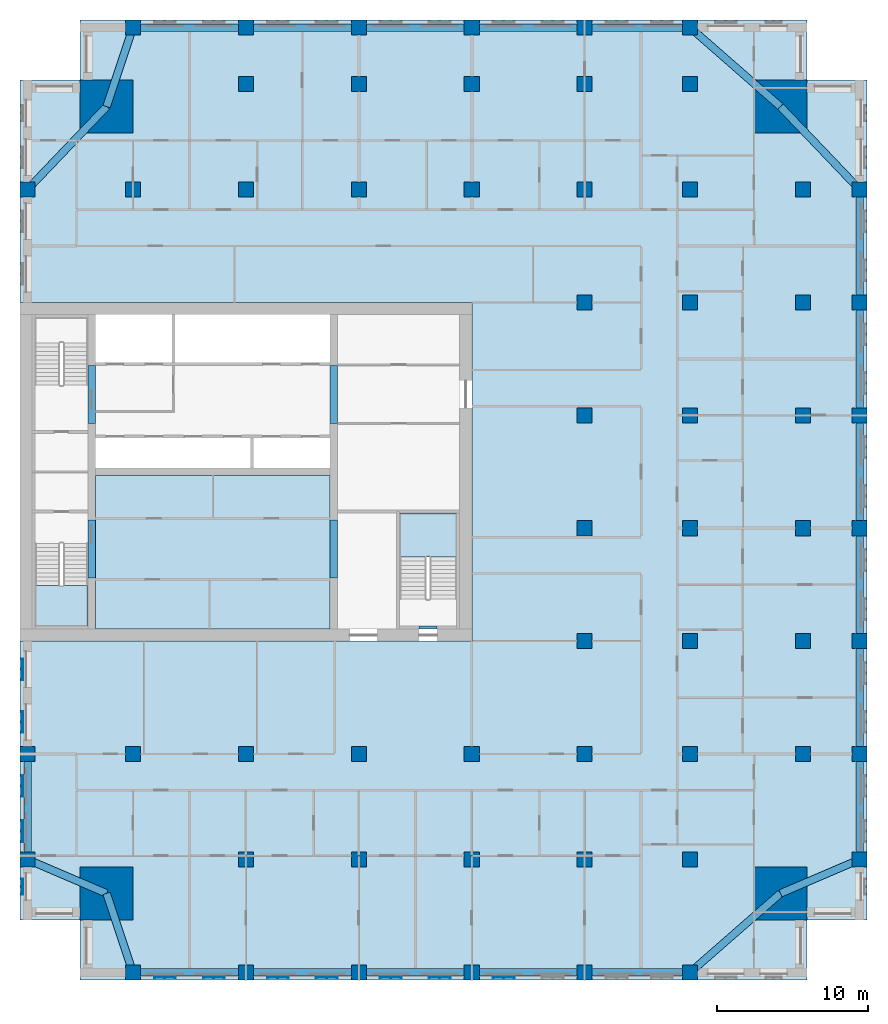
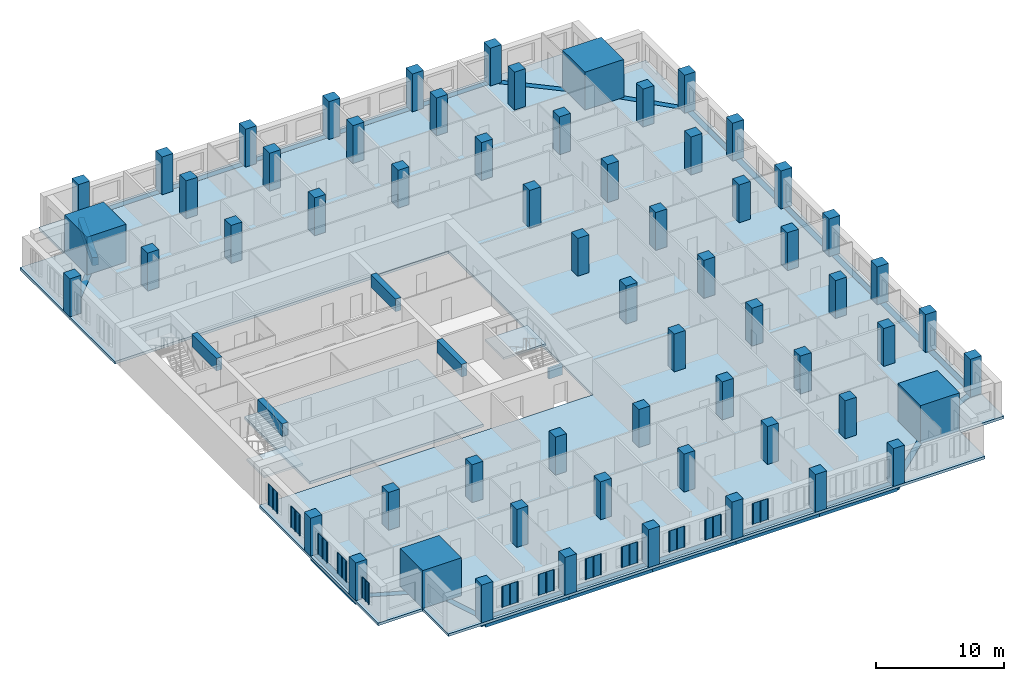
# One storey, part 1 of 13: 62 columns, 30 beams, 12 plates, 4 slabs, 2 elements without a shape of their own.
"""IFC4 building model written with IfcOpenShell, lengths in metres."""

from ifc_helpers import new_model, si_unit, direction, frame, origin, origin_2d, place, context, subcontext, project, spatial, polyline, rectangle, outline, extrude, material, layer, layer_set, material_profile, profile_set, type_object, element, aggregate, save


model = new_model("IFC4")

# Units and contexts
model_context = context("Model", 3, precision=1e-05, world=origin(), true_north=direction((0.0, 1.0)))
body_context = subcontext(model_context, "Body", "Model", "MODEL_VIEW")
ifc_project = project(units=[si_unit("LENGTHUNIT", "METRE"), si_unit("AREAUNIT", "SQUARE_METRE"), si_unit("VOLUMEUNIT", "CUBIC_METRE"), si_unit("PLANEANGLEUNIT", "RADIAN"), si_unit("MASSUNIT", "GRAM", prefix="KILO")], contexts=[model_context])

# Site, building, storey
site_placement = place(None, origin())
site = spatial("IfcSite", under=ifc_project, at=site_placement, CompositionType="ELEMENT")
building_placement = place(site_placement, origin())
building = spatial("IfcBuilding", under=site, at=building_placement, Name="Tamorin Gate", CompositionType="ELEMENT")
storey_placement = place(building_placement, frame((0.0, 0.0, 130.199951171875)))
storey = spatial("IfcBuildingStorey", under=building, at=storey_placement, Name="L31", CompositionType="ELEMENT", Elevation=130.199951171875)

# Columns
ifc_material_1 = material(Name="Concrete C70/85", Category="concrete")
ifc_material_profile_1 = material_profile(ifc_material_1, rectangle(XDim=1.0, YDim=1.0, at=origin_2d()), Name="RC 1000x1000")
ifc_profile_set_1 = profile_set([ifc_material_profile_1], Name="Concrete C70/85")
column_type_1 = type_object("IfcColumnType", Name="RC column 1000x1000 C70/85", PredefinedType="COLUMN", material=ifc_profile_set_1)
for number, where, z_axis, x_axis, name in (
    (1, (85.75, 45.5, 0.0), (0.0, 0.0, 1.0), (1.0, 0.0, 0.0), "Ring column L31"),
    (2, (85.75, 52.5, 0.0), (0.0, 0.0, 1.0), (1.0, 0.0, 0.0), "Ring column L31"),
    (3, (85.75, 60.0, 0.0), (0.0, 0.0, 1.0), (1.0, 0.0, 0.0), "Ring column L31"),
    (4, (85.75, 67.5, 0.0), (0.0, 0.0, 1.0), (1.0, 0.0, 0.0), "Ring column L31"),
    (5, (85.75, 75.0, 0.0), (0.0, 0.0, 1.0), (1.0, 0.0, 0.0), "Ring column L31"),
    (6, (85.75, 82.5, 0.0), (0.0, 0.0, 1.0), (1.0, 0.0, 0.0), "Ring column L31"),
    (7, (85.75, 90.0, 0.0), (0.0, 0.0, 1.0), (1.0, 0.0, 0.0), "Ring column L31"),
    (8, (37.5, 100.75, 0.0), (0.0, 0.0, 1.0), (1.0, 0.0, 0.0), "Ring column L31"),
    (9, (45.0, 100.75, 0.0), (0.0, 0.0, 1.0), (1.0, 0.0, 0.0), "Ring column L31"),
    (10, (52.5, 100.75, 0.0), (0.0, 0.0, 1.0), (1.0, 0.0, 0.0), "Ring column L31"),
    (11, (60.0, 100.75, 0.0), (0.0, 0.0, 1.0), (1.0, 0.0, 0.0), "Ring column L31"),
    (12, (67.5, 100.75, 0.0), (0.0, 0.0, 1.0), (1.0, 0.0, 0.0), "Ring column L31"),
    (13, (74.5, 100.75, 0.0), (0.0, 0.0, 1.0), (1.0, 0.0, 0.0), "Ring column L31"),
    (14, (30.5, 45.5, 0.0), (0.0, 0.0, 1.0), (1.0, 0.0, 0.0), "Ring column L31"),
    (15, (30.5, 52.5, 0.0), (0.0, 0.0, 1.0), (1.0, 0.0, 0.0), "Ring column L31"),
    (16, (30.5, 90.0, 0.0), (0.0, 0.0, 1.0), (1.0, 0.0, 0.0), "Ring column L31"),
    (17, (37.5, 38.0, 0.0), (0.0, 0.0, 1.0), (1.0, 0.0, 0.0), "Ring column L31"),
    (18, (37.5, 52.5, 0.0), (0.0, 0.0, 1.0), (1.0, 0.0, 0.0), "Interior column L31"),
    (19, (37.5, 90.0, 0.0), (0.0, 0.0, 1.0), (1.0, 0.0, 0.0), "Interior column L31"),
    (20, (45.0, 38.0, 0.0), (0.0, 0.0, 1.0), (1.0, 0.0, 0.0), "Ring column L31"),
    (21, (45.0, 45.5, 0.0), (0.0, 0.0, 1.0), (1.0, 0.0, 0.0), "Interior column L31"),
    (22, (45.0, 52.5, 0.0), (0.0, 0.0, 1.0), (1.0, 0.0, 0.0), "Interior column L31"),
    (23, (45.0, 90.0, 0.0), (0.0, 0.0, 1.0), (1.0, 0.0, 0.0), "Interior column L31"),
    (24, (45.0, 97.0, 0.0), (0.0, 0.0, 1.0), (1.0, 0.0, 0.0), "Interior column L31"),
    (25, (52.5, 38.0, 0.0), (0.0, 0.0, 1.0), (1.0, 0.0, 0.0), "Ring column L31"),
    (26, (52.5, 45.5, 0.0), (0.0, 0.0, 1.0), (1.0, 0.0, 0.0), "Interior column L31"),
    (27, (52.5, 52.5, 0.0), (0.0, 0.0, 1.0), (1.0, 0.0, 0.0), "Interior column L31"),
    (28, (52.5, 90.0, 0.0), (0.0, 0.0, 1.0), (1.0, 0.0, 0.0), "Interior column L31"),
    (29, (52.5, 97.0, 0.0), (0.0, 0.0, 1.0), (1.0, 0.0, 0.0), "Interior column L31"),
    (30, (60.0, 38.0, 0.0), (0.0, 0.0, 1.0), (1.0, 0.0, 0.0), "Ring column L31"),
    (31, (60.0, 45.5, 0.0), (0.0, 0.0, 1.0), (1.0, 0.0, 0.0), "Interior column L31"),
    (32, (60.0, 52.5, 0.0), (0.0, 0.0, 1.0), (1.0, 0.0, 0.0), "Interior column L31"),
    (33, (60.0, 90.0, 0.0), (0.0, 0.0, 1.0), (1.0, 0.0, 0.0), "Interior column L31"),
    (34, (60.0, 97.0, 0.0), (0.0, 0.0, 1.0), (1.0, 0.0, 0.0), "Interior column L31"),
    (35, (67.5, 38.0, 0.0), (0.0, 0.0, 1.0), (1.0, 0.0, 0.0), "Ring column L31"),
    (36, (67.5, 45.5, 0.0), (0.0, 0.0, 1.0), (1.0, 0.0, 0.0), "Interior column L31"),
    (37, (67.5, 52.5, 0.0), (0.0, 0.0, 1.0), (1.0, 0.0, 0.0), "Interior column L31"),
    (38, (67.5, 60.0, 0.0), (0.0, 0.0, 1.0), (1.0, 0.0, 0.0), "Interior column L31"),
    (39, (67.5, 67.5, 0.0), (0.0, 0.0, 1.0), (1.0, 0.0, 0.0), "Interior column L31"),
    (40, (67.5, 75.0, 0.0), (0.0, 0.0, 1.0), (1.0, 0.0, 0.0), "Interior column L31"),
    (41, (67.5, 82.5, 0.0), (0.0, 0.0, 1.0), (1.0, 0.0, 0.0), "Interior column L31"),
    (42, (67.5, 90.0, 0.0), (0.0, 0.0, 1.0), (1.0, 0.0, 0.0), "Interior column L31"),
    (43, (67.5, 97.0, 0.0), (0.0, 0.0, 1.0), (1.0, 0.0, 0.0), "Interior column L31"),
    (44, (74.5, 38.0, 0.0), (0.0, 0.0, 1.0), (1.0, 0.0, 0.0), "Ring column L31"),
    (45, (74.5, 45.5, 0.0), (0.0, 0.0, 1.0), (1.0, 0.0, 0.0), "Interior column L31"),
    (46, (74.5, 52.5, 0.0), (0.0, 0.0, 1.0), (1.0, 0.0, 0.0), "Interior column L31"),
    (47, (74.5, 60.0, 0.0), (0.0, 0.0, 1.0), (1.0, 0.0, 0.0), "Interior column L31"),
    (48, (74.5, 67.5, 0.0), (0.0, 0.0, 1.0), (1.0, 0.0, 0.0), "Interior column L31"),
    (49, (74.5, 75.0, 0.0), (0.0, 0.0, 1.0), (1.0, 0.0, 0.0), "Interior column L31"),
    (50, (74.5, 82.5, 0.0), (0.0, 0.0, 1.0), (1.0, 0.0, 0.0), "Interior column L31"),
    (51, (74.5, 90.0, 0.0), (0.0, 0.0, 1.0), (1.0, 0.0, 0.0), "Interior column L31"),
    (52, (74.5, 97.0, 0.0), (0.0, 0.0, 1.0), (1.0, 0.0, 0.0), "Interior column L31"),
    (53, (82.0, 52.5, 0.0), (0.0, 0.0, 1.0), (1.0, 0.0, 0.0), "Interior column L31"),
    (54, (82.0, 60.0, 0.0), (0.0, 0.0, 1.0), (1.0, 0.0, 0.0), "Interior column L31"),
    (55, (82.0, 67.5, 0.0), (0.0, 0.0, 1.0), (1.0, 0.0, 0.0), "Interior column L31"),
    (56, (82.0, 75.0, 0.0), (0.0, 0.0, 1.0), (1.0, 0.0, 0.0), "Interior column L31"),
    (57, (82.0, 82.5, 0.0), (0.0, 0.0, 1.0), (1.0, 0.0, 0.0), "Interior column L31"),
    (58, (82.0, 90.0, 0.0), (0.0, 0.0, 1.0), (1.0, 0.0, 0.0), "Interior column L31"),
):
    element("IfcColumn", number, at=place(storey_placement, frame(where, z_axis=z_axis, x_axis=x_axis)), inside=storey, type_object=column_type_1, Name=name, PredefinedType="COLUMN", context=body_context, shape_type="SweptSolid", body=[
        extrude(rectangle(XDim=1.0, YDim=1.0, at=origin_2d()), origin(), (0.0, 0.0, 1.0), 3.60009765625),
    ])
ifc_material_profile_2 = material_profile(ifc_material_1, rectangle(XDim=3.5, YDim=3.5, at=origin_2d()), Name="RC 3500x3500")
ifc_profile_set_2 = profile_set([ifc_material_profile_2], Name="Concrete C70/85")
column_type_2 = type_object("IfcColumnType", Name="RC column 3500x3500 C70/85", PredefinedType="COLUMN", material=ifc_profile_set_2)
for number, where, z_axis, x_axis, name in (
    (59, (35.75, 43.25, 0.0), (0.0, 0.0, 1.0), (1.0, 0.0, 0.0), "Mega column SW L31"),
    (60, (80.5, 43.25, 0.0), (0.0, 0.0, 1.0), (1.0, 0.0, 0.0), "Mega column SE L31"),
    (61, (35.75, 95.5, 0.0), (0.0, 0.0, 1.0), (1.0, 0.0, 0.0), "Mega column NW L31"),
    (62, (80.5, 95.5, 0.0), (0.0, 0.0, 1.0), (1.0, 0.0, 0.0), "Mega column NE L31"),
):
    element("IfcColumn", number, at=place(storey_placement, frame(where, z_axis=z_axis, x_axis=x_axis)), inside=storey, type_object=column_type_2, Name=name, PredefinedType="COLUMN", context=body_context, shape_type="SweptSolid", body=[
        extrude(rectangle(XDim=3.5, YDim=3.5, at=origin_2d()), origin(), (0.0, 0.0, 1.0), 3.60009765625),
    ])

# Beams
ifc_material_2 = material(Name="Concrete C60/75", Category="concrete")
ifc_material_profile_3 = material_profile(ifc_material_2, rectangle(XDim=0.5, YDim=1.199951171875, at=origin_2d()), Name="RC 500x1200")
ifc_profile_set_3 = profile_set([ifc_material_profile_3], Name="Concrete C60/75")
beam_type_1 = type_object("IfcBeamType", Name="RC coupling beam 500x1200 C60/75", PredefinedType="BEAM", material=ifc_profile_set_3)
for number, where, z_axis, x_axis, name in (
    (63, (34.75, 64.199951171875, 3.0), (0.0, 1.0, 0.0), (-1.0, 0.0, 0.0), "Coupling beam L31"),
    (64, (34.75, 74.449951171875, 3.0), (0.0, 1.0, 0.0), (-1.0, 0.0, 0.0), "Coupling beam L31"),
    (65, (50.85009765625, 64.199951171875, 3.0), (0.0, 1.0, 0.0), (-1.0, 0.0, 0.0), "Coupling beam L31"),
    (66, (50.85009765625, 74.449951171875, 3.0), (0.0, 1.0, 0.0), (-1.0, 0.0, 0.0), "Coupling beam L31"),
):
    element("IfcBeam", number, at=place(storey_placement, frame(where, z_axis=z_axis, x_axis=x_axis)), inside=storey, type_object=beam_type_1, Name=name, PredefinedType="BEAM", context=body_context, shape_type="SweptSolid", body=[
        extrude(rectangle(XDim=0.5, YDim=1.199951171875, at=origin_2d()), origin(), (0.0, 0.0, 1.0), 3.85009765625),
    ])
ifc_material_3 = material(Name="Concrete C50/60", Category="concrete")
ifc_material_profile_4 = material_profile(ifc_material_3, rectangle(XDim=0.5, YDim=0.75, at=origin_2d()), Name="RC 500x750")
ifc_profile_set_4 = profile_set([ifc_material_profile_4], Name="Concrete C50/60")
beam_type_2 = type_object("IfcBeamType", Name="RC spandrel 500x750 C50/60", PredefinedType="BEAM", material=ifc_profile_set_4)
for number, where, z_axis, x_axis, name in (
    (67, (37.5, 38.0, -0.375), (1.0, 0.0, 0.0), (0.0, 1.0, 0.0), "Spandrel beam L31"),
    (68, (45.0, 38.0, -0.375), (1.0, 0.0, 0.0), (0.0, 1.0, 0.0), "Spandrel beam L31"),
    (69, (52.5, 38.0, -0.375), (1.0, 0.0, 0.0), (0.0, 1.0, 0.0), "Spandrel beam L31"),
    (70, (60.0, 38.0, -0.375), (1.0, 0.0, 0.0), (0.0, 1.0, 0.0), "Spandrel beam L31"),
):
    element("IfcBeam", number, at=place(storey_placement, frame(where, z_axis=z_axis, x_axis=x_axis)), inside=storey, type_object=beam_type_2, Name=name, PredefinedType="BEAM", context=body_context, shape_type="SweptSolid", body=[
        extrude(rectangle(XDim=0.5, YDim=0.75, at=origin_2d()), origin(), (0.0, 0.0, 1.0), 7.5),
    ])
for number, where, z_axis, x_axis, name in (
    (71, (67.5, 38.0, -0.375), (1.0, 0.0, 0.0), (0.0, 1.0, 0.0), "Spandrel beam L31"),
    (72, (85.75, 45.5, -0.375), (0.0, 1.0, 0.0), (-1.0, 0.0, 0.0), "Spandrel beam L31"),
):
    element("IfcBeam", number, at=place(storey_placement, frame(where, z_axis=z_axis, x_axis=x_axis)), inside=storey, type_object=beam_type_2, Name=name, PredefinedType="BEAM", context=body_context, shape_type="SweptSolid", body=[
        extrude(rectangle(XDim=0.5, YDim=0.75, at=origin_2d()), origin(), (0.0, 0.0, 1.0), 7.0),
    ])
for number, where, z_axis, x_axis, name in (
    (73, (85.75, 52.5, -0.375), (0.0, 1.0, 0.0), (-1.0, 0.0, 0.0), "Spandrel beam L31"),
    (74, (85.75, 60.0, -0.375), (0.0, 1.0, 0.0), (-1.0, 0.0, 0.0), "Spandrel beam L31"),
    (75, (85.75, 67.5, -0.375), (0.0, 1.0, 0.0), (-1.0, 0.0, 0.0), "Spandrel beam L31"),
    (76, (85.75, 75.0, -0.375), (0.0, 1.0, 0.0), (-1.0, 0.0, 0.0), "Spandrel beam L31"),
    (77, (85.75, 82.5, -0.375), (0.0, 1.0, 0.0), (-1.0, 0.0, 0.0), "Spandrel beam L31"),
):
    element("IfcBeam", number, at=place(storey_placement, frame(where, z_axis=z_axis, x_axis=x_axis)), inside=storey, type_object=beam_type_2, Name=name, PredefinedType="BEAM", context=body_context, shape_type="SweptSolid", body=[
        extrude(rectangle(XDim=0.5, YDim=0.75, at=origin_2d()), origin(), (0.0, 0.0, 1.0), 7.5),
    ])
beam_1_placement = place(storey_placement, frame((74.5, 100.75, -0.375), z_axis=(-1.0, 0.0, 0.0), x_axis=(0.0, -1.0, 0.0)))
element("IfcBeam", 78, at=beam_1_placement, inside=storey, type_object=beam_type_2, Name="Spandrel beam L31", PredefinedType="BEAM", context=body_context, shape_type="SweptSolid", body=[
    extrude(rectangle(XDim=0.5, YDim=0.75, at=origin_2d()), origin(), (0.0, 0.0, 1.0), 7.0),
])
for number, where, z_axis, x_axis, name in (
    (79, (67.5, 100.75, -0.375), (-1.0, 0.0, 0.0), (0.0, -1.0, 0.0), "Spandrel beam L31"),
    (80, (60.0, 100.75, -0.375), (-1.0, 0.0, 0.0), (0.0, -1.0, 0.0), "Spandrel beam L31"),
    (81, (52.5, 100.75, -0.375), (-1.0, 0.0, 0.0), (0.0, -1.0, 0.0), "Spandrel beam L31"),
    (82, (45.0, 100.75, -0.375), (-1.0, 0.0, 0.0), (0.0, -1.0, 0.0), "Spandrel beam L31"),
):
    element("IfcBeam", number, at=place(storey_placement, frame(where, z_axis=z_axis, x_axis=x_axis)), inside=storey, type_object=beam_type_2, Name=name, PredefinedType="BEAM", context=body_context, shape_type="SweptSolid", body=[
        extrude(rectangle(XDim=0.5, YDim=0.75, at=origin_2d()), origin(), (0.0, 0.0, 1.0), 7.5),
    ])
beam_2_placement = place(storey_placement, frame((30.5, 52.5, -0.375), z_axis=(0.0, -1.0, 0.0), x_axis=(1.0, 0.0, 0.0)))
element("IfcBeam", 83, at=beam_2_placement, inside=storey, type_object=beam_type_2, Name="Spandrel beam L31", PredefinedType="BEAM", context=body_context, shape_type="SweptSolid", body=[
    extrude(rectangle(XDim=0.5, YDim=0.75, at=origin_2d()), origin(), (0.0, 0.0, 1.0), 7.0),
])
beam_3_placement = place(storey_placement, frame((35.75, 43.25, -0.375), z_axis=(0.316227766017, -0.948683298051, 0.0), x_axis=(0.948683298051, 0.316227766017, 0.0)))
element("IfcBeam", 84, at=beam_3_placement, inside=storey, type_object=beam_type_2, Name="Corner tie beam L31", PredefinedType="BEAM", context=body_context, shape_type="SweptSolid", body=[
    extrude(rectangle(XDim=0.5, YDim=0.75, at=origin_2d()), origin(), (0.0, 0.0, 1.0), 5.533935546875),
])
for number, where, z_axis, x_axis, name in (
    (85, (35.75, 43.25, -0.375), (-0.919145030018, 0.393919298579, 0.0), (-0.393919298579, -0.919145030018, 0.0), "Corner tie beam L31"),
    (86, (80.5, 43.25, -0.375), (0.919145030018, 0.393919298579, 0.0), (-0.393919298579, 0.919145030018, 0.0), "Corner tie beam L31"),
):
    element("IfcBeam", number, at=place(storey_placement, frame(where, z_axis=z_axis, x_axis=x_axis)), inside=storey, type_object=beam_type_2, Name=name, PredefinedType="BEAM", context=body_context, shape_type="SweptSolid", body=[
        extrude(rectangle(XDim=0.5, YDim=0.75, at=origin_2d()), origin(), (0.0, 0.0, 1.0), 5.7119140625),
    ])
beam_4_placement = place(storey_placement, frame((80.5, 43.25, -0.375), z_axis=(-0.752576694707, -0.658504607869, 0.0), x_axis=(0.658504607869, -0.752576694707, 0.0)))
element("IfcBeam", 87, at=beam_4_placement, inside=storey, type_object=beam_type_2, Name="Corner tie beam L31", PredefinedType="BEAM", context=body_context, shape_type="SweptSolid", body=[
    extrude(rectangle(XDim=0.5, YDim=0.75, at=origin_2d()), origin(), (0.0, 0.0, 1.0), 7.97265625),
])
beam_5_placement = place(storey_placement, frame((35.75, 95.5, -0.375), z_axis=(0.316227766017, 0.948683298051, 0.0), x_axis=(-0.948683298051, 0.316227766017, 0.0)))
element("IfcBeam", 88, at=beam_5_placement, inside=storey, type_object=beam_type_2, Name="Corner tie beam L31", PredefinedType="BEAM", context=body_context, shape_type="SweptSolid", body=[
    extrude(rectangle(XDim=0.5, YDim=0.75, at=origin_2d()), origin(), (0.0, 0.0, 1.0), 5.533935546875),
])
for number, where, z_axis, x_axis, name in (
    (89, (35.75, 95.5, -0.375), (-0.690475746683, -0.723355544144, 0.0), (0.723355544144, -0.690475746683, 0.0), "Corner tie beam L31"),
    (90, (80.5, 95.5, -0.375), (0.690475746683, -0.723355544144, 0.0), (0.723355544144, 0.690475746683, 0.0), "Corner tie beam L31"),
):
    element("IfcBeam", number, at=place(storey_placement, frame(where, z_axis=z_axis, x_axis=x_axis)), inside=storey, type_object=beam_type_2, Name=name, PredefinedType="BEAM", context=body_context, shape_type="SweptSolid", body=[
        extrude(rectangle(XDim=0.5, YDim=0.75, at=origin_2d()), origin(), (0.0, 0.0, 1.0), 7.603515625),
    ])
beam_6_placement = place(storey_placement, frame((80.5, 95.5, -0.375), z_axis=(-0.752576694707, 0.658504607869, 0.0), x_axis=(-0.658504607869, -0.752576694707, 0.0)))
element("IfcBeam", 91, at=beam_6_placement, inside=storey, type_object=beam_type_2, Name="Corner tie beam L31", PredefinedType="BEAM", context=body_context, shape_type="SweptSolid", body=[
    extrude(rectangle(XDim=0.5, YDim=0.75, at=origin_2d()), origin(), (0.0, 0.0, 1.0), 7.97265625),
])
ifc_material_profile_5 = material_profile(ifc_material_2, rectangle(XDim=0.199951171875, YDim=1.0, at=origin_2d()))
ifc_profile_set_5 = profile_set([ifc_material_profile_5], Name="Concrete C60/75")
beam_type_3 = type_object("IfcBeamType", Name="Stair lintel 200x1000 C60/75", PredefinedType="BEAM", material=ifc_profile_set_5)
beam_7_placement = place(storey_placement, frame((56.5, 60.89990234375, 2.699951171875), z_axis=(1.0, 0.0, 0.0), x_axis=(0.0, 1.0, 0.0)))
element("IfcBeam", 92, at=beam_7_placement, inside=storey, type_object=beam_type_3, Name="Stair lintel", PredefinedType="BEAM", context=body_context, shape_type="SweptSolid", body=[
    extrude(rectangle(XDim=0.199951171875, YDim=1.0, at=origin_2d()), origin(), (0.0, 0.0, 1.0), 1.199951171875),
])

# Slab
ifc_material_4 = material(Name="Concrete C40/50", Category="concrete")
ifc_layer_1 = layer(ifc_material_4, 0.25)
ifc_layer_set_1 = layer_set([ifc_layer_1], Name="Core floor slab 250 C40/50")
slab_type_1 = type_object("IfcSlabType", Name="Core floor slab 250 C40/50", PredefinedType="FLOOR", material=ifc_layer_set_1)
slab_1_placement = place(storey_placement, frame((0.0, 0.0, -0.25)))
element("IfcSlab", 93, at=slab_1_placement, inside=storey, type_object=slab_type_1, Name="Core floor L31", PredefinedType="FLOOR", context=body_context, shape_type="SweptSolid", body=[
    extrude(outline(polyline([(50.60009765625, 71.0), (50.60009765625, 60.800048828125), (35.0, 60.800048828125), (35.0, 71.0), (50.60009765625, 71.0)])), origin(), (0.0, 0.0, 1.0), 0.25),
])

# Stair, slab
stair_type = type_object("IfcStairType", Name="Exit stair", PredefinedType="HALF_TURN_STAIR", material=ifc_material_4)
stair_1_placement = place(storey_placement, origin())
stair_1 = element("IfcStair", 94, at=stair_1_placement, inside=storey, type_object=stair_type, Name="L31 stair ST1", PredefinedType="HALF_TURN_STAIR")
ifc_layer_2 = layer(ifc_material_4, 0.199951171875)
ifc_layer_set_2 = layer_set([ifc_layer_2], Name="Exit stair landing 200")
slab_type_2 = type_object("IfcSlabType", Name="Exit stair landing 200", PredefinedType="LANDING", material=ifc_layer_set_2)
slab_2_placement = place(storey_placement, frame((0.0, 0.0, 1.60009765625)))
slab_2 = element("IfcSlab", 95, at=slab_2_placement, type_object=slab_type_2, Name="ST1 landing 1", PredefinedType="LANDING", context=body_context, shape_type="SweptSolid", body=[
    extrude(outline(polyline([(31.0, 63.699951171875), (31.0, 61.0), (34.5, 61.0), (34.5, 63.699951171875), (31.0, 63.699951171875)])), origin(), (0.0, 0.0, 1.0), 0.199951171875),
])
aggregate(stair_1, [slab_2])

stair_2_placement = place(storey_placement, origin())
stair_2 = element("IfcStair", 96, at=stair_2_placement, inside=storey, type_object=stair_type, Name="L31 stair ST3", PredefinedType="HALF_TURN_STAIR")
slab_3_placement = place(storey_placement, frame((0.0, 0.0, 1.60009765625)))
slab_3 = element("IfcSlab", 97, at=slab_3_placement, type_object=slab_type_2, Name="ST3 landing 1", PredefinedType="LANDING", context=body_context, shape_type="SweptSolid", body=[
    extrude(outline(polyline([(59.0, 65.60009765625), (59.0, 68.5), (55.199951171875, 68.5), (55.199951171875, 65.60009765625), (59.0, 65.60009765625)])), origin(), (0.0, 0.0, 1.0), 0.199951171875),
])
aggregate(stair_2, [slab_3])

# Slab
ifc_layer_3 = layer(ifc_material_4, 0.25)
ifc_layer_set_3 = layer_set([ifc_layer_3], Name="Floor slab 250 C40/50")
slab_type_3 = type_object("IfcSlabType", Name="Floor slab 250 C40/50", PredefinedType="FLOOR", material=ifc_layer_set_3)
slab_4_placement = place(storey_placement, frame((0.0, 0.0, -0.25)))
element("IfcSlab", 98, at=slab_4_placement, inside=storey, type_object=slab_type_3, Name="Floor L31", PredefinedType="FLOOR", context=body_context, shape_type="SweptSolid", body=[
    extrude(outline(polyline([(30.0, 97.25), (34.0, 97.25), (34.0, 101.25), (82.25, 101.25), (82.25, 97.25), (86.25, 97.25), (86.25, 41.5), (82.25, 41.5), (82.25, 37.5), (34.0, 37.5), (34.0, 41.5), (30.0, 41.5), (30.0, 60.0), (60.0, 60.0), (60.0, 82.5), (30.0, 82.5), (30.0, 97.25)])), origin(), (0.0, 0.0, 1.0), 0.25),
])

# Plates
ifc_material_5 = material(Name="Perforated pale aluminium sheet", Category="aluminium")
ifc_layer_4 = layer(ifc_material_5, 0.0400390625)
ifc_layer_set_4 = layer_set([ifc_layer_4], Name="Pale metal solar screen 1080")
plate_type_1 = type_object("IfcPlateType", Name="Pale metal solar screen 1080", PredefinedType="SHEET", material=ifc_layer_set_4)
plate_1_placement = place(storey_placement, frame((0.0, 0.0, 0.7099609375)))
element("IfcPlate", 99, at=plate_1_placement, inside=storey, type_object=plate_type_1, Name="Perforated solar screen", PredefinedType="SHEET", context=body_context, shape_type="SweptSolid", body=[
    extrude(outline(polyline([(30.159912109375, 44.239990234375), (30.199951171875, 44.239990234375), (30.199951171875, 44.179931640625), (30.199951171875, 43.72998046875), (30.199951171875, 43.669921875), (30.199951171875, 43.219970703125), (30.199951171875, 43.159912109375), (30.159912109375, 43.159912109375), (30.10009765625, 43.159912109375), (30.10009765625, 43.219970703125), (30.159912109375, 43.219970703125), (30.159912109375, 43.669921875), (30.10009765625, 43.669921875), (30.10009765625, 43.72998046875), (30.159912109375, 43.72998046875), (30.159912109375, 44.179931640625), (30.10009765625, 44.179931640625), (30.10009765625, 44.239990234375), (30.159912109375, 44.239990234375)])), origin(), (0.0, 0.0, 1.0), 1.97998046875),
])
ifc_layer_5 = layer(ifc_material_5, 0.0400390625)
ifc_layer_set_5 = layer_set([ifc_layer_5], Name="Pale metal solar screen 1440")
plate_type_2 = type_object("IfcPlateType", Name="Pale metal solar screen 1440", PredefinedType="SHEET", material=ifc_layer_set_5)
plate_2_placement = place(storey_placement, frame((0.0, 0.0, 0.7099609375)))
element("IfcPlate", 100, at=plate_2_placement, inside=storey, type_object=plate_type_2, Name="Perforated solar screen", PredefinedType="SHEET", context=body_context, shape_type="SweptSolid", body=[
    extrude(outline(polyline([(38.905029296875, 37.659912109375), (38.905029296875, 37.699951171875), (38.965087890625, 37.699951171875), (39.594970703125, 37.699951171875), (39.655029296875, 37.699951171875), (40.284912109375, 37.699951171875), (40.344970703125, 37.699951171875), (40.344970703125, 37.699951171875), (40.344970703125, 37.659912109375), (40.344970703125, 37.659912109375), (40.344970703125, 37.60009765625), (40.284912109375, 37.60009765625), (40.284912109375, 37.659912109375), (39.655029296875, 37.659912109375), (39.655029296875, 37.60009765625), (39.594970703125, 37.60009765625), (39.594970703125, 37.659912109375), (38.965087890625, 37.659912109375), (38.965087890625, 37.60009765625), (38.905029296875, 37.60009765625), (38.905029296875, 37.659912109375)])), origin(), (0.0, 0.0, 1.0), 1.97998046875),
])
plate_3_placement = place(storey_placement, frame((0.0, 0.0, 0.7099609375)))
element("IfcPlate", 101, at=plate_3_placement, inside=storey, type_object=plate_type_2, Name="Perforated solar screen", PredefinedType="SHEET", context=body_context, shape_type="SweptSolid", body=[
    extrude(outline(polyline([(42.155029296875, 37.659912109375), (42.155029296875, 37.699951171875), (42.215087890625, 37.699951171875), (42.844970703125, 37.699951171875), (42.905029296875, 37.699951171875), (43.534912109375, 37.699951171875), (43.594970703125, 37.699951171875), (43.594970703125, 37.659912109375), (43.594970703125, 37.60009765625), (43.534912109375, 37.60009765625), (43.534912109375, 37.659912109375), (42.905029296875, 37.659912109375), (42.905029296875, 37.60009765625), (42.844970703125, 37.60009765625), (42.844970703125, 37.659912109375), (42.215087890625, 37.659912109375), (42.215087890625, 37.60009765625), (42.155029296875, 37.60009765625), (42.155029296875, 37.659912109375)])), origin(), (0.0, 0.0, 1.0), 1.97998046875),
])
plate_4_placement = place(storey_placement, frame((0.0, 0.0, 0.7099609375)))
element("IfcPlate", 102, at=plate_4_placement, inside=storey, type_object=plate_type_2, Name="Perforated solar screen", PredefinedType="SHEET", context=body_context, shape_type="SweptSolid", body=[
    extrude(outline(polyline([(46.405029296875, 37.659912109375), (46.405029296875, 37.699951171875), (46.465087890625, 37.699951171875), (47.094970703125, 37.699951171875), (47.155029296875, 37.699951171875), (47.784912109375, 37.699951171875), (47.844970703125, 37.699951171875), (47.844970703125, 37.659912109375), (47.844970703125, 37.60009765625), (47.784912109375, 37.60009765625), (47.784912109375, 37.659912109375), (47.155029296875, 37.659912109375), (47.155029296875, 37.60009765625), (47.094970703125, 37.60009765625), (47.094970703125, 37.659912109375), (46.465087890625, 37.659912109375), (46.465087890625, 37.60009765625), (46.405029296875, 37.60009765625), (46.405029296875, 37.659912109375)])), origin(), (0.0, 0.0, 1.0), 1.97998046875),
])
plate_5_placement = place(storey_placement, frame((0.0, 0.0, 0.7099609375)))
element("IfcPlate", 103, at=plate_5_placement, inside=storey, type_object=plate_type_2, Name="Perforated solar screen", PredefinedType="SHEET", context=body_context, shape_type="SweptSolid", body=[
    extrude(outline(polyline([(49.655029296875, 37.659912109375), (49.655029296875, 37.699951171875), (49.715087890625, 37.699951171875), (50.344970703125, 37.699951171875), (50.405029296875, 37.699951171875), (51.034912109375, 37.699951171875), (51.094970703125, 37.699951171875), (51.094970703125, 37.659912109375), (51.094970703125, 37.60009765625), (51.034912109375, 37.60009765625), (51.034912109375, 37.659912109375), (50.405029296875, 37.659912109375), (50.405029296875, 37.60009765625), (50.344970703125, 37.60009765625), (50.344970703125, 37.659912109375), (49.715087890625, 37.659912109375), (49.715087890625, 37.60009765625), (49.655029296875, 37.60009765625), (49.655029296875, 37.659912109375)])), origin(), (0.0, 0.0, 1.0), 1.97998046875),
])
plate_6_placement = place(storey_placement, frame((0.0, 0.0, 0.7099609375)))
element("IfcPlate", 104, at=plate_6_placement, inside=storey, type_object=plate_type_2, Name="Perforated solar screen", PredefinedType="SHEET", context=body_context, shape_type="SweptSolid", body=[
    extrude(outline(polyline([(53.905029296875, 37.659912109375), (53.905029296875, 37.699951171875), (53.965087890625, 37.699951171875), (54.594970703125, 37.699951171875), (54.655029296875, 37.699951171875), (55.284912109375, 37.699951171875), (55.344970703125, 37.699951171875), (55.344970703125, 37.659912109375), (55.344970703125, 37.60009765625), (55.284912109375, 37.60009765625), (55.284912109375, 37.659912109375), (54.655029296875, 37.659912109375), (54.655029296875, 37.60009765625), (54.594970703125, 37.60009765625), (54.594970703125, 37.659912109375), (53.965087890625, 37.659912109375), (53.965087890625, 37.60009765625), (53.905029296875, 37.60009765625), (53.905029296875, 37.659912109375)])), origin(), (0.0, 0.0, 1.0), 1.97998046875),
])
plate_7_placement = place(storey_placement, frame((0.0, 0.0, 0.7099609375)))
element("IfcPlate", 105, at=plate_7_placement, inside=storey, type_object=plate_type_2, Name="Perforated solar screen", PredefinedType="SHEET", context=body_context, shape_type="SweptSolid", body=[
    extrude(outline(polyline([(57.155029296875, 37.659912109375), (57.155029296875, 37.699951171875), (57.215087890625, 37.699951171875), (57.844970703125, 37.699951171875), (57.905029296875, 37.699951171875), (58.534912109375, 37.699951171875), (58.594970703125, 37.699951171875), (58.594970703125, 37.659912109375), (58.594970703125, 37.60009765625), (58.534912109375, 37.60009765625), (58.534912109375, 37.659912109375), (57.905029296875, 37.659912109375), (57.905029296875, 37.60009765625), (57.844970703125, 37.60009765625), (57.844970703125, 37.659912109375), (57.215087890625, 37.659912109375), (57.215087890625, 37.60009765625), (57.155029296875, 37.60009765625), (57.155029296875, 37.659912109375)])), origin(), (0.0, 0.0, 1.0), 1.97998046875),
])
plate_8_placement = place(storey_placement, frame((0.0, 0.0, 0.7099609375)))
element("IfcPlate", 106, at=plate_8_placement, inside=storey, type_object=plate_type_2, Name="Perforated solar screen", PredefinedType="SHEET", context=body_context, shape_type="SweptSolid", body=[
    extrude(outline(polyline([(61.405029296875, 37.659912109375), (61.405029296875, 37.699951171875), (61.465087890625, 37.699951171875), (62.094970703125, 37.699951171875), (62.155029296875, 37.699951171875), (62.784912109375, 37.699951171875), (62.844970703125, 37.699951171875), (62.844970703125, 37.659912109375), (62.844970703125, 37.60009765625), (62.784912109375, 37.60009765625), (62.784912109375, 37.659912109375), (62.155029296875, 37.659912109375), (62.155029296875, 37.60009765625), (62.094970703125, 37.60009765625), (62.094970703125, 37.659912109375), (61.465087890625, 37.659912109375), (61.465087890625, 37.60009765625), (61.405029296875, 37.60009765625), (61.405029296875, 37.659912109375)])), origin(), (0.0, 0.0, 1.0), 1.97998046875),
])
plate_9_placement = place(storey_placement, frame((0.0, 0.0, 0.7099609375)))
element("IfcPlate", 107, at=plate_9_placement, inside=storey, type_object=plate_type_2, Name="Perforated solar screen", PredefinedType="SHEET", context=body_context, shape_type="SweptSolid", body=[
    extrude(outline(polyline([(30.159912109375, 55.344970703125), (30.199951171875, 55.344970703125), (30.199951171875, 55.284912109375), (30.199951171875, 54.655029296875), (30.199951171875, 54.594970703125), (30.199951171875, 53.965087890625), (30.199951171875, 53.905029296875), (30.159912109375, 53.905029296875), (30.10009765625, 53.905029296875), (30.10009765625, 53.965087890625), (30.159912109375, 53.965087890625), (30.159912109375, 54.594970703125), (30.10009765625, 54.594970703125), (30.10009765625, 54.655029296875), (30.159912109375, 54.655029296875), (30.159912109375, 55.284912109375), (30.10009765625, 55.284912109375), (30.10009765625, 55.344970703125), (30.159912109375, 55.344970703125)])), origin(), (0.0, 0.0, 1.0), 1.97998046875),
])
plate_10_placement = place(storey_placement, frame((0.0, 0.0, 0.7099609375)))
element("IfcPlate", 108, at=plate_10_placement, inside=storey, type_object=plate_type_2, Name="Perforated solar screen", PredefinedType="SHEET", context=body_context, shape_type="SweptSolid", body=[
    extrude(outline(polyline([(30.159912109375, 58.844970703125), (30.199951171875, 58.844970703125), (30.199951171875, 58.784912109375), (30.199951171875, 58.155029296875), (30.199951171875, 58.094970703125), (30.199951171875, 57.465087890625), (30.199951171875, 57.405029296875), (30.159912109375, 57.405029296875), (30.10009765625, 57.405029296875), (30.10009765625, 57.465087890625), (30.159912109375, 57.465087890625), (30.159912109375, 58.094970703125), (30.10009765625, 58.094970703125), (30.10009765625, 58.155029296875), (30.159912109375, 58.155029296875), (30.159912109375, 58.784912109375), (30.10009765625, 58.784912109375), (30.10009765625, 58.844970703125), (30.159912109375, 58.844970703125)])), origin(), (0.0, 0.0, 1.0), 1.97998046875),
])
plate_11_placement = place(storey_placement, frame((0.0, 0.0, 0.7099609375)))
element("IfcPlate", 109, at=plate_11_placement, inside=storey, type_object=plate_type_2, Name="Perforated solar screen", PredefinedType="SHEET", context=body_context, shape_type="SweptSolid", body=[
    extrude(outline(polyline([(30.159912109375, 48.094970703125), (30.199951171875, 48.094970703125), (30.199951171875, 48.034912109375), (30.199951171875, 47.405029296875), (30.199951171875, 47.344970703125), (30.199951171875, 46.715087890625), (30.199951171875, 46.655029296875), (30.159912109375, 46.655029296875), (30.10009765625, 46.655029296875), (30.10009765625, 46.715087890625), (30.159912109375, 46.715087890625), (30.159912109375, 47.344970703125), (30.10009765625, 47.344970703125), (30.10009765625, 47.405029296875), (30.159912109375, 47.405029296875), (30.159912109375, 48.034912109375), (30.10009765625, 48.034912109375), (30.10009765625, 48.094970703125), (30.159912109375, 48.094970703125)])), origin(), (0.0, 0.0, 1.0), 1.97998046875),
])
plate_12_placement = place(storey_placement, frame((0.0, 0.0, 0.7099609375)))
element("IfcPlate", 110, at=plate_12_placement, inside=storey, type_object=plate_type_2, Name="Perforated solar screen", PredefinedType="SHEET", context=body_context, shape_type="SweptSolid", body=[
    extrude(outline(polyline([(30.159912109375, 51.094970703125), (30.199951171875, 51.094970703125), (30.199951171875, 51.034912109375), (30.199951171875, 50.405029296875), (30.199951171875, 50.344970703125), (30.199951171875, 49.715087890625), (30.199951171875, 49.655029296875), (30.159912109375, 49.655029296875), (30.10009765625, 49.655029296875), (30.10009765625, 49.715087890625), (30.159912109375, 49.715087890625), (30.159912109375, 50.344970703125), (30.10009765625, 50.344970703125), (30.10009765625, 50.405029296875), (30.159912109375, 50.405029296875), (30.159912109375, 51.034912109375), (30.10009765625, 51.034912109375), (30.10009765625, 51.094970703125), (30.159912109375, 51.094970703125)])), origin(), (0.0, 0.0, 1.0), 1.97998046875),
])

save(model, "model.ifc")
